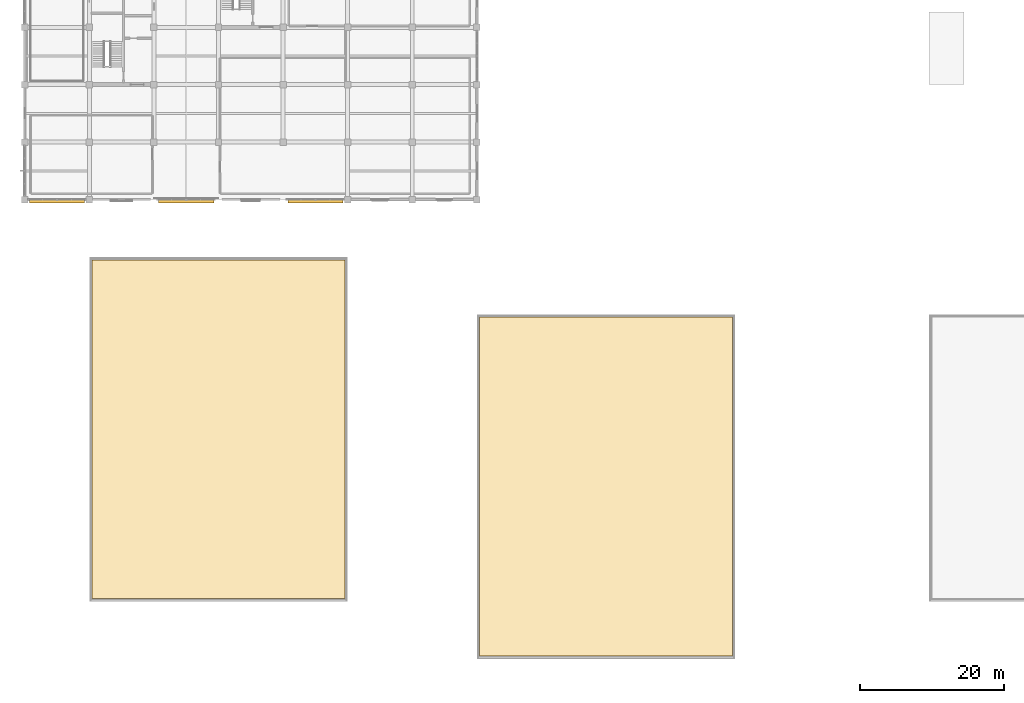
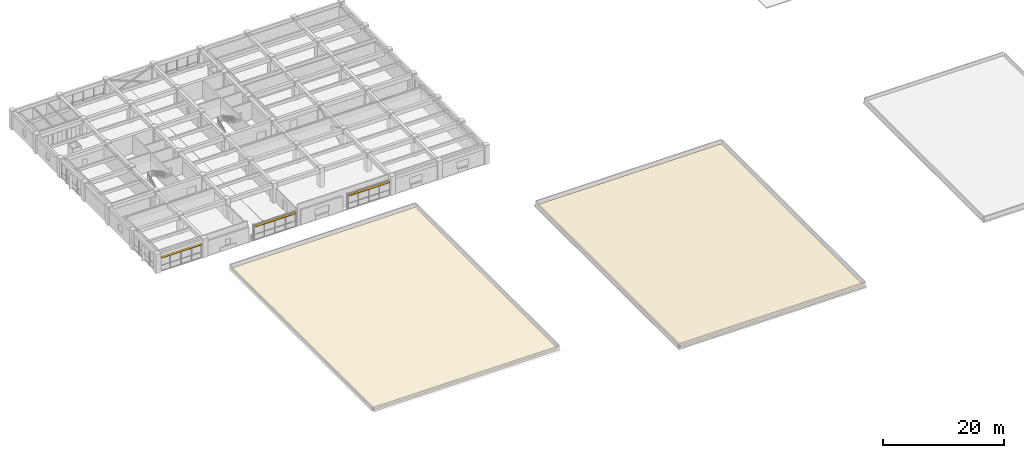
# One storey, part 21 of 23: 3 shading devices, 2 coverings.
"""IFC4 building model written with IfcOpenShell, lengths in metres."""

from ifc_helpers import new_model, si_unit, direction, frame, frame_2d, origin, place, context, subcontext, project, spatial, polyline, rectangle, outline, extrude, material, layer, layer_set, type_object, element, save


model = new_model("IFC4")

# Units and contexts
model_context = context("Model", 3, precision=1e-05, world=origin(), true_north=direction((0.0, 1.0)))
body_context = subcontext(model_context, "Body", "Model", "MODEL_VIEW")
ifc_project = project(units=[si_unit("LENGTHUNIT", "METRE"), si_unit("AREAUNIT", "SQUARE_METRE"), si_unit("VOLUMEUNIT", "CUBIC_METRE"), si_unit("PLANEANGLEUNIT", "RADIAN"), si_unit("MASSUNIT", "GRAM", prefix="KILO")], contexts=[model_context])

# Site, building, storey
site_placement = place(None, origin())
site = spatial("IfcSite", under=ifc_project, at=site_placement, CompositionType="ELEMENT")
building_placement = place(site_placement, origin())
building = spatial("IfcBuilding", under=site, at=building_placement, Name="Zaverband Oceanarium and Marine Research Institute", CompositionType="ELEMENT")
storey_placement = place(building_placement, frame((0.0, 0.0, 21.89990234375)))
storey = spatial("IfcBuildingStorey", under=building, at=storey_placement, Name="L05", CompositionType="ELEMENT", Elevation=21.89990234375)

# Coverings
ifc_material_1 = material(Name="TPO reflective membrane over rigid PIR roof insulation")
ifc_layer_1 = layer(ifc_material_1, 0.159912109375, Name="TPO reflective membrane over rigid PIR roof insulation")
ifc_layer_set_1 = layer_set([ifc_layer_1], Name="TPO reflective membrane over rigid PIR roof insulation")
covering_type = type_object("IfcCoveringType", Name="COV-ROOF-160", PredefinedType="ROOFING", material=ifc_layer_set_1)
covering_1_placement = place(storey_placement, frame((0.0, 0.0, 2.41015625)))
element("IfcCovering", 1, at=covering_1_placement, inside=storey, type_object=covering_type, Name="Insulated coastal membrane roofing COV-ROOF-160", PredefinedType="ROOFING", context=body_context, shape_type="SweptSolid", body=[
    extrude(outline(polyline([(18.39990234375, 8.39990234375), (53.60009765625, 8.39990234375), (53.60009765625, 55.60009765625), (18.39990234375, 55.60009765625), (18.39990234375, 8.39990234375)])), origin(), (0.0, 0.0, 1.0), 0.159912109375),
])
covering_2_placement = place(storey_placement, frame((0.0, 0.0, 1.210205078125)))
element("IfcCovering", 2, at=covering_2_placement, inside=storey, type_object=covering_type, Name="Insulated coastal membrane roofing COV-ROOF-160", PredefinedType="ROOFING", context=body_context, shape_type="SweptSolid", body=[
    extrude(outline(polyline([(72.39990234375, 0.39990234375), (107.60009765625, 0.39990234375), (107.60009765625, 47.60009765625), (72.39990234375, 47.60009765625), (72.39990234375, 0.39990234375)])), origin(), (0.0, 0.0, 1.0), 0.159912109375),
])

# Shading devices
ifc_material_2 = material(Name="Anodized bronze marine-grade aluminium", Category="aluminium")
ifc_layer_2 = layer(ifc_material_2, 0.080078125, Name="Anodized bronze marine-grade aluminium")
ifc_layer_set_2 = layer_set([ifc_layer_2], Name="Anodized bronze marine-grade aluminium")
shading_device_type = type_object("IfcShadingDeviceType", Name="SHD-LVR-450", PredefinedType="USERDEFINED", material=ifc_layer_set_2)
for number, where, z_axis, x_axis, name in (
    (3, (9.655029296875, 63.760009765625, 2.800048828125), (0.0, 0.0, 1.0), (1.0, 0.0, 0.0), "450 mm horizontal solar shading louvre SHD-LVR-450"),
    (4, (27.655029296875, 63.760009765625, 2.800048828125), (0.0, 0.0, 1.0), (1.0, 0.0, 0.0), "450 mm horizontal solar shading louvre SHD-LVR-450"),
    (5, (45.655029296875, 63.760009765625, 2.800048828125), (0.0, 0.0, 1.0), (1.0, 0.0, 0.0), "450 mm horizontal solar shading louvre SHD-LVR-450"),
):
    element("IfcShadingDevice", number, at=place(storey_placement, frame(where, z_axis=z_axis, x_axis=x_axis)), inside=storey, type_object=shading_device_type, Name=name, ObjectType="LOUVRE", PredefinedType="USERDEFINED", context=body_context, shape_type="SweptSolid", body=[
        extrude(rectangle(XDim=7.68994140625, YDim=0.449951171875, at=frame_2d((3.844970703125, 0.0))), origin(), (0.0, 0.0, 1.0), 0.080078125),
    ])

save(model, "model.ifc")
